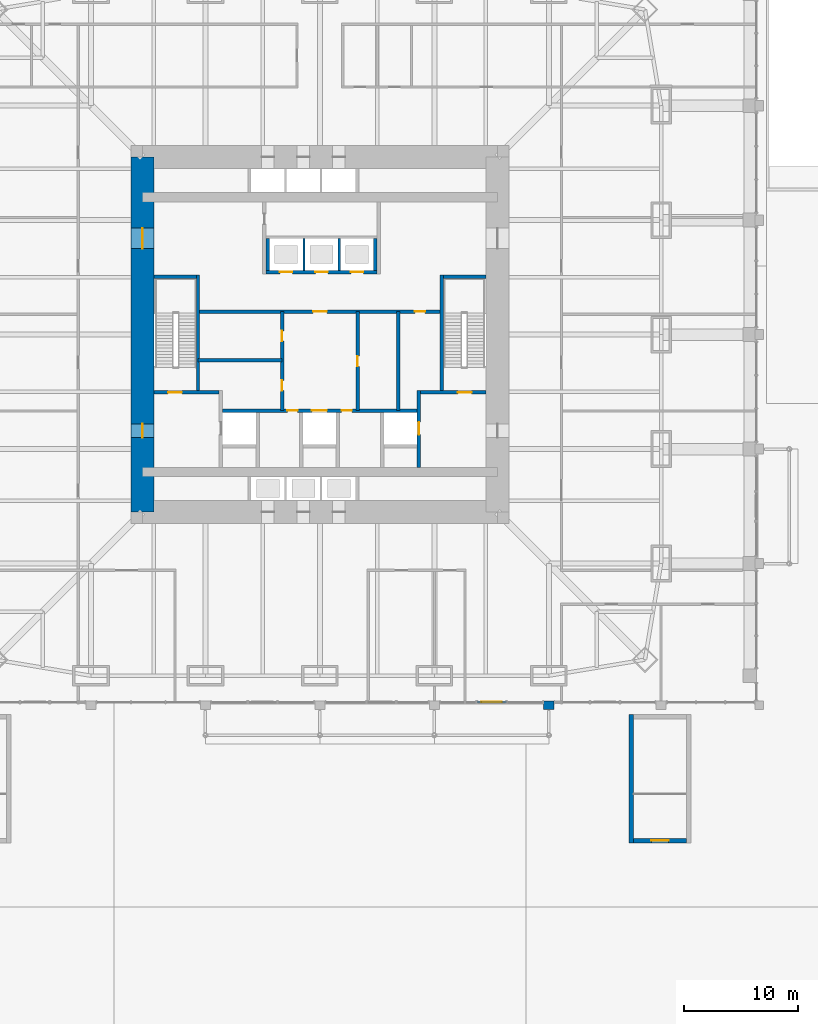
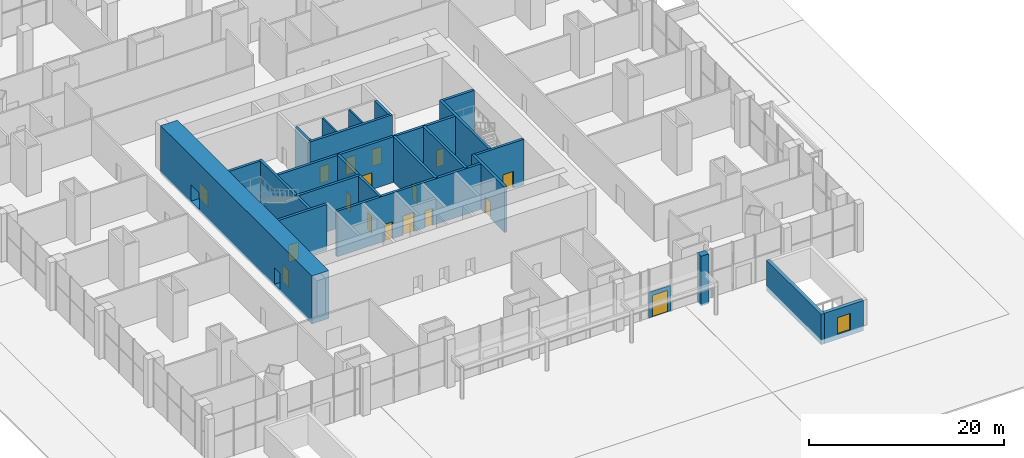
# One storey, part 23 of 31: 23 walls, 18 doors, 18 openings.
"""IFC4 building model written with IfcOpenShell, lengths in metres."""

import ifcopenshell
import ifcopenshell.guid

model = None  # the IFC model being written
_history = None  # IfcOwnerHistory: only IFC2X3 demands one
_inside = {}  # id of a spatial element -> (the spatial element, [elements in it])
_under = {}  # id of a project, library or spatial element -> (it, [spatial elements below it])
_declared = {}  # id of a project -> (the project, [libraries it declares])
_typed = {}  # id of a type object -> (the type object, [elements of that type])
_made_of = {}  # id of a material, layer set ... -> (it, [elements and type objects made of it])


def new_model(schema):
    """Start an empty IFC model of exactly this schema.

    Asked for "IFC4X3", IfcOpenShell would pick the latest addendum, in which some entities
    have other attributes; the version numbers below select the first issue.
    IFC2X3 requires an IfcOwnerHistory on every rooted entity: one is made here for all.
    """
    global model, _history
    if schema == "IFC4X3":
        model = ifcopenshell.file(schema_version=(4, 3, 0, 0))
    else:
        model = ifcopenshell.file(schema=schema)
    _inside.clear()
    _under.clear()
    _declared.clear()
    _typed.clear()
    _made_of.clear()
    _history = None
    if model.schema == "IFC2X3":
        org = make("IfcOrganization", Name="unknown")
        user = make(
            "IfcPersonAndOrganization",
            ThePerson=make("IfcPerson", FamilyName="unknown"),
            TheOrganization=org,
        )
        app = make(
            "IfcApplication",
            ApplicationDeveloper=org,
            Version="unknown",
            ApplicationFullName="unknown",
            ApplicationIdentifier="unknown",
        )
        _history = make(
            "IfcOwnerHistory",
            OwningUser=user,
            OwningApplication=app,
            ChangeAction="ADDED",
            CreationDate=0,
        )
    return model


def make(cls, **values):
    """One entity of the class cls with the attributes given. An attribute that is None is left unset."""
    return model.create_entity(
        cls, **{name: value for name, value in values.items() if value is not None}
    )


def rooted(cls, **values):
    """An entity with a GlobalId (a new one), such as an element, a storey or a relation."""
    return make(cls, GlobalId=ifcopenshell.guid.new(), OwnerHistory=_history, **values)


def si_unit(unit_type, name, prefix=None):
    """IfcSIUnit, for example si_unit("LENGTHUNIT", "METRE", prefix="MILLI")."""
    return make("IfcSIUnit", UnitType=unit_type, Prefix=prefix, Name=name)


def assignment(units):
    """IfcUnitAssignment: the units of a project."""
    return None if units is None else make("IfcUnitAssignment", Units=units)


def point(xyz):
    """IfcCartesianPoint."""
    return None if xyz is None else make("IfcCartesianPoint", Coordinates=xyz)


def direction(xyz):
    """IfcDirection."""
    return None if xyz is None else make("IfcDirection", DirectionRatios=xyz)


def frame(location, z_axis=None, x_axis=None):
    """IfcAxis2Placement3D, a coordinate frame: its origin and axes. An axis left out is left unset."""
    return make(
        "IfcAxis2Placement3D",
        Location=point(location),
        Axis=direction(z_axis),
        RefDirection=direction(x_axis),
    )


def frame_2d(location, x_axis=None):
    """IfcAxis2Placement2D, a coordinate frame in the plane: its origin and x axis."""
    return make(
        "IfcAxis2Placement2D", Location=point(location), RefDirection=direction(x_axis)
    )


def origin():
    """The frame at (0, 0, 0) with its axes left unset."""
    return frame((0.0, 0.0, 0.0))


def place(relative_to, where):
    """IfcLocalPlacement: puts the frame where relative to a parent placement (None: the world)."""
    return make(
        "IfcLocalPlacement", PlacementRelTo=relative_to, RelativePlacement=where
    )


def context(
    kind, dimensions, precision=None, world=None, true_north=None, identifier=None
):
    """IfcGeometricRepresentationContext, for example the 3D "Model" context."""
    return make(
        "IfcGeometricRepresentationContext",
        ContextIdentifier=identifier,
        ContextType=kind,
        CoordinateSpaceDimension=dimensions,
        Precision=precision,
        WorldCoordinateSystem=world,
        TrueNorth=true_north,
    )


def subcontext(parent, identifier, kind, view, scale=None):
    """IfcGeometricRepresentationSubContext, for example "Body" below "Model"."""
    return make(
        "IfcGeometricRepresentationSubContext",
        ContextIdentifier=identifier,
        ContextType=kind,
        ParentContext=parent,
        TargetScale=scale,
        TargetView=view,
    )


def project(units=None, contexts=None):
    """IfcProject with its units and contexts."""
    return rooted(
        "IfcProject",
        Name="project",
        RepresentationContexts=contexts,
        UnitsInContext=assignment(units),
    )


def spatial(cls, under=None, at=None, **own):
    """A site, building, storey or space (cls), placed at a placement, below another one or the project."""
    s = rooted(cls, ObjectPlacement=at, **own)
    if under is not None:
        _under.setdefault(under.id(), (under, []))[1].append(s)
    return s


def profile(cls, at=None, kind="AREA", **sizes):
    """A parametric profile (cls). Its sizes go by their IFC names, for example OverallWidth=200.0."""
    return make(cls, ProfileType=kind, Position=at, **sizes)


def rectangle(**sizes):
    """IfcRectangleProfileDef."""
    return profile("IfcRectangleProfileDef", **sizes)


def extrude(swept, where, along, depth):
    """IfcExtrudedAreaSolid: the profile swept, set in the frame where, extruded along a direction by depth."""
    return make(
        "IfcExtrudedAreaSolid",
        SweptArea=swept,
        Position=where,
        ExtrudedDirection=direction(along),
        Depth=depth,
    )


def shape(context_of_items, identifier, shape_type, items):
    """IfcShapeRepresentation: the items that make up one representation, for example the "Body"."""
    return make(
        "IfcShapeRepresentation",
        ContextOfItems=context_of_items,
        RepresentationIdentifier=identifier,
        RepresentationType=shape_type,
        Items=items,
    )


def material(Name=None, Category=None):
    """IfcMaterial."""
    return make("IfcMaterial", Name=Name, Category=Category)


def layer(
    of_material, thickness, ventilated=None, Name=None, Category=None, Priority=None
):
    """IfcMaterialLayer: one layer of a wall or slab, of a material (None: an air gap)."""
    return make(
        "IfcMaterialLayer",
        Material=of_material,
        LayerThickness=thickness,
        IsVentilated=ventilated,
        Name=Name,
        Category=Category,
        Priority=Priority,
    )


def layer_set(layers, Name=None):
    """IfcMaterialLayerSet."""
    return make("IfcMaterialLayerSet", MaterialLayers=layers, LayerSetName=Name)


def made_of(thing, what):
    """Note that an element or type object is made of a material, layer set ...; save() writes the relation."""
    if what is not None:
        _made_of.setdefault(what.id(), (what, []))[1].append(thing)
    return thing


def type_object(cls, material=None, **own):
    """A type object (cls), such as IfcWallType, which elements share."""
    return made_of(rooted(cls, **own), material)


def element(
    cls,
    number,
    at=None,
    inside=None,
    cuts=None,
    type_object=None,
    material=None,
    context=None,
    identifier="Body",
    shape_type=None,
    held_by="IfcProductDefinitionShape",
    body=None,
    shapes=None,
    **own,
):
    """One element of the class cls, such as IfcWall. Its Tag is "e" and its number.

    at: its placement. inside: the storey or other place that contains it. cuts: it is an
    opening in that element (IfcRelVoidsElement). A single representation is given by context,
    identifier, shape_type and body (its items); several are given by shapes. held_by: the class
    of the entity that holds the representations. save() writes the other relations.
    """
    e = rooted(cls, Tag="e%d" % number, ObjectPlacement=at, **own)
    if body is not None:
        shapes = [shape(context, identifier, shape_type, body)]
    if shapes is not None:
        e.Representation = make(held_by, Representations=shapes)
    if inside is not None:
        _inside.setdefault(inside.id(), (inside, []))[1].append(e)
    if cuts is not None:
        rooted(
            "IfcRelVoidsElement", RelatingBuildingElement=cuts, RelatedOpeningElement=e
        )
    if type_object is not None:
        _typed.setdefault(type_object.id(), (type_object, []))[1].append(e)
    return made_of(e, material)


def fill(opening, filler):
    """IfcRelFillsElement: the door or window that sits in an opening."""
    return rooted(
        "IfcRelFillsElement",
        RelatingOpeningElement=opening,
        RelatedBuildingElement=filler,
    )


def aggregate(whole, parts):
    """IfcRelAggregates: a whole, such as a stair, and the parts it consists of."""
    return rooted("IfcRelAggregates", RelatingObject=whole, RelatedObjects=parts)


def save(model, path):
    """Write the relations noted so far, then the file.

    IfcRelAggregates (storeys below a building ...), IfcRelContainedInSpatialStructure (elements
    in a storey), IfcRelDefinesByType, IfcRelAssociatesMaterial and IfcRelDeclares: one each for
    every whole, place, type object, material and project.
    """
    for whole, parts in _under.values():
        aggregate(whole, parts)
    for where, things in _inside.values():
        rooted(
            "IfcRelContainedInSpatialStructure",
            RelatedElements=things,
            RelatingStructure=where,
        )
    for kind, things in _typed.values():
        rooted("IfcRelDefinesByType", RelatedObjects=things, RelatingType=kind)
    for what, things in _made_of.values():
        rooted("IfcRelAssociatesMaterial", RelatedObjects=things, RelatingMaterial=what)
    for by, libraries in _declared.values():
        rooted("IfcRelDeclares", RelatingContext=by, RelatedDefinitions=libraries)
    model.write(path)


model = new_model("IFC4")

# Units and contexts
model_context = context("Model", 3, precision=1e-05, world=origin(), true_north=direction((0.0, 1.0)))
body_context = subcontext(model_context, "Body", "Model", "MODEL_VIEW")
ifc_project = project(units=[si_unit("LENGTHUNIT", "METRE"), si_unit("AREAUNIT", "SQUARE_METRE"), si_unit("VOLUMEUNIT", "CUBIC_METRE"), si_unit("PLANEANGLEUNIT", "RADIAN"), si_unit("MASSUNIT", "GRAM", prefix="KILO")], contexts=[model_context])

# Site, building, storey
site_placement = place(None, origin())
site = spatial("IfcSite", under=ifc_project, at=site_placement, CompositionType="ELEMENT")
building_placement = place(site_placement, origin())
building = spatial("IfcBuilding", under=site, at=building_placement, Name="Khuree Lantern Residences", CompositionType="ELEMENT")
storey_placement = place(building_placement, origin())
storey = spatial("IfcBuildingStorey", under=building, at=storey_placement, Name="L00", CompositionType="ELEMENT", Elevation=0.0)

# Wall, opening, door
ifc_material_1 = material(Name="Dense concrete blockwork", Category="masonry")
ifc_layer_1 = layer(ifc_material_1, 0.300048828125)
ifc_layer_set_1 = layer_set([ifc_layer_1], Name="CORE PARTITION WALL CPW300 EI 120")
wall_type_1 = type_object("IfcWallType", Name="CORE PARTITION WALL CPW300 EI 120", PredefinedType="PARTITIONING", material=ifc_layer_set_1)
wall_1_placement = place(storey_placement, frame((8.64990234375, -11.60009765625, 0.0), z_axis=(0.0, 0.0, 1.0), x_axis=(0.0, 1.0, 0.0)))
wall_1 = element("IfcWall", 1, at=wall_1_placement, inside=storey, type_object=wall_type_1, Name="L00 CORE WALL FL2E", PredefinedType="PARTITIONING", context=body_context, shape_type="SweptSolid", body=[
    extrude(rectangle(XDim=6.7001953125, YDim=0.300048828125, at=frame_2d((3.35009765625, 0.0))), origin(), (0.0, 0.0, 1.0), 5.699951171875),
])
opening_1_placement = place(wall_1_placement, frame((2.85009765625, 0.0, 0.0)))
opening_1 = element("IfcOpeningElement", 2, at=opening_1_placement, cuts=wall_1, Name="Opening 00-008", PredefinedType="OPENING", context=body_context, shape_type="SweptSolid", body=[
    extrude(rectangle(XDim=1.10009765625, YDim=2.10009765625, at=frame_2d((0.550048828125, 1.050048828125))), frame((0.0, 0.16015625, 0.0), z_axis=(0.0, -1.0, 0.0), x_axis=(1.0, 0.0, 0.0)), (0.0, 0.0, 1.0), 0.320068359375),
])
ifc_material_2 = material(Name="Stainless steel lift landing door", Category="steel")
door_type_1 = type_object("IfcDoorType", Name="LIFT LANDING DOOR 1100X2100 E 120", OperationType="DOUBLE_DOOR_SLIDING", PredefinedType="DOOR", material=ifc_material_2)
door_1_placement = place(opening_1_placement, origin())
door_1 = element("IfcDoor", 3, at=door_1_placement, inside=storey, type_object=door_type_1, Name="Landing door FL2 00-008", OperationType="DOUBLE_DOOR_SLIDING", OverallHeight=2.10009765625, OverallWidth=1.10009765625, PredefinedType="DOOR", context=body_context, shape_type="SweptSolid", body=[
    extrude(rectangle(XDim=1.10009765625, YDim=2.10009765625, at=frame_2d((0.550048828125, 1.050048828125))), frame((0.0, 0.02490234375, 0.0), z_axis=(0.0, -1.0, 0.0), x_axis=(1.0, 0.0, 0.0)), (0.0, 0.0, 1.0), 0.050048828125),
])
fill(opening_1, door_1)

# Wall, openings, doors
wall_2_placement = place(storey_placement, frame((-8.5, -6.64990234375, 0.0), z_axis=(0.0, 0.0, 1.0), x_axis=(1.0, 0.0, 0.0)))
wall_2 = element("IfcWall", 4, at=wall_2_placement, inside=storey, type_object=wall_type_1, Name="L00 CORE WALL FLROW", PredefinedType="PARTITIONING", context=body_context, shape_type="SweptSolid", body=[
    extrude(rectangle(XDim=17.0, YDim=0.300048828125, at=frame_2d((8.5, 0.0))), origin(), (0.0, 0.0, 1.0), 5.699951171875),
])
opening_2_placement = place(wall_2_placement, frame((7.800048828125, 0.0, 0.0)))
opening_2 = element("IfcOpeningElement", 5, at=opening_2_placement, cuts=wall_2, Name="Opening 00-018", PredefinedType="OPENING", context=body_context, shape_type="SweptSolid", body=[
    extrude(rectangle(XDim=1.300048828125, YDim=2.39990234375, at=frame_2d((0.64990234375, 1.199951171875))), frame((0.0, 0.16015625, 0.0), z_axis=(0.0, -1.0, 0.0), x_axis=(1.0, 0.0, 0.0)), (0.0, 0.0, 1.0), 0.320068359375),
])
opening_3_placement = place(wall_2_placement, frame((5.64990234375, 0.0, 0.0)))
opening_3 = element("IfcOpeningElement", 6, at=opening_3_placement, cuts=wall_2, Name="Opening 00-020", PredefinedType="OPENING", context=body_context, shape_type="SweptSolid", body=[
    extrude(rectangle(XDim=0.89990234375, YDim=2.10009765625, at=frame_2d((0.449951171875, 1.050048828125))), frame((0.0, 0.16015625, 0.0), z_axis=(0.0, -1.0, 0.0), x_axis=(1.0, 0.0, 0.0)), (0.0, 0.0, 1.0), 0.320068359375),
])
opening_4_placement = place(wall_2_placement, frame((10.39990234375, 0.0, 0.0)))
opening_4 = element("IfcOpeningElement", 7, at=opening_4_placement, cuts=wall_2, Name="Opening 00-021", PredefinedType="OPENING", context=body_context, shape_type="SweptSolid", body=[
    extrude(rectangle(XDim=0.89990234375, YDim=2.10009765625, at=frame_2d((0.449951171875, 1.050048828125))), frame((0.0, 0.16015625, 0.0), z_axis=(0.0, -1.0, 0.0), x_axis=(1.0, 0.0, 0.0)), (0.0, 0.0, 1.0), 0.320068359375),
])
ifc_material_3 = material(Name="Steel door leaf in steel frame", Category="steel")
door_type_2 = type_object("IfcDoorType", Name="DOOR 900X2100 EI 60", OperationType="SINGLE_SWING_LEFT", PredefinedType="DOOR", material=ifc_material_3)
door_2_placement = place(opening_3_placement, origin())
door_2 = element("IfcDoor", 8, at=door_2_placement, inside=storey, type_object=door_type_2, Name="Electrical riser door 00-020", OperationType="SINGLE_SWING_LEFT", OverallHeight=2.10009765625, OverallWidth=0.89990234375, PredefinedType="DOOR", context=body_context, shape_type="SweptSolid", body=[
    extrude(rectangle(XDim=0.89990234375, YDim=2.10009765625, at=frame_2d((0.449951171875, 1.050048828125))), frame((0.0, 0.02490234375, 0.0), z_axis=(0.0, -1.0, 0.0), x_axis=(1.0, 0.0, 0.0)), (0.0, 0.0, 1.0), 0.050048828125),
])
fill(opening_3, door_2)
door_type_3 = type_object("IfcDoorType", Name="DOOR 900X2100 EI 60 RIGHT HAND", OperationType="SINGLE_SWING_RIGHT", PredefinedType="DOOR", material=ifc_material_3)
door_3_placement = place(opening_4_placement, origin())
door_3 = element("IfcDoor", 9, at=door_3_placement, inside=storey, type_object=door_type_3, Name="Plumbing riser door 00-021", OperationType="SINGLE_SWING_RIGHT", OverallHeight=2.10009765625, OverallWidth=0.89990234375, PredefinedType="DOOR", context=body_context, shape_type="SweptSolid", body=[
    extrude(rectangle(XDim=0.89990234375, YDim=2.10009765625, at=frame_2d((0.449951171875, 1.050048828125))), frame((0.0, 0.02490234375, 0.0), z_axis=(0.0, -1.0, 0.0), x_axis=(1.0, 0.0, 0.0)), (0.0, 0.0, 1.0), 0.050048828125),
])
fill(opening_4, door_3)
door_type_4 = type_object("IfcDoorType", Name="LIFT LANDING DOOR 1300X2400 E 60", OperationType="DOUBLE_DOOR_SLIDING", PredefinedType="DOOR", material=ifc_material_2)
door_4_placement = place(opening_2_placement, origin())
door_4 = element("IfcDoor", 10, at=door_4_placement, inside=storey, type_object=door_type_4, Name="Landing door SL1 00-018", OperationType="DOUBLE_DOOR_SLIDING", OverallHeight=2.39990234375, OverallWidth=1.300048828125, PredefinedType="DOOR", context=body_context, shape_type="SweptSolid", body=[
    extrude(rectangle(XDim=1.300048828125, YDim=2.39990234375, at=frame_2d((0.64990234375, 1.199951171875))), frame((0.0, 0.02490234375, 0.0), z_axis=(0.0, -1.0, 0.0), x_axis=(1.0, 0.0, 0.0)), (0.0, 0.0, 1.0), 0.050048828125),
])
fill(opening_2, door_4)

wall_3_placement = place(storey_placement, frame((-4.699951171875, 5.449951171875, 0.0), z_axis=(0.0, 0.0, 1.0), x_axis=(1.0, 0.0, 0.0)))
wall_3 = element("IfcWall", 11, at=wall_3_placement, inside=storey, type_object=wall_type_1, Name="L00 CORE WALL PHS", PredefinedType="PARTITIONING", context=body_context, shape_type="SweptSolid", body=[
    extrude(rectangle(XDim=9.699951171875, YDim=0.300048828125, at=frame_2d((4.85009765625, 0.0))), origin(), (0.0, 0.0, 1.0), 5.699951171875),
])
opening_5_placement = place(wall_3_placement, frame((1.199951171875, 0.0, 0.0)))
opening_5 = element("IfcOpeningElement", 12, at=opening_5_placement, cuts=wall_3, Name="Opening 00-009", PredefinedType="OPENING", context=body_context, shape_type="SweptSolid", body=[
    extrude(rectangle(XDim=1.10009765625, YDim=2.10009765625, at=frame_2d((0.550048828125, 1.050048828125))), frame((0.0, 0.16015625, 0.0), z_axis=(0.0, -1.0, 0.0), x_axis=(1.0, 0.0, 0.0)), (0.0, 0.0, 1.0), 0.320068359375),
])
opening_6_placement = place(wall_3_placement, frame((4.300048828125, 0.0, 0.0)))
opening_6 = element("IfcOpeningElement", 13, at=opening_6_placement, cuts=wall_3, Name="Opening 00-010", PredefinedType="OPENING", context=body_context, shape_type="SweptSolid", body=[
    extrude(rectangle(XDim=1.10009765625, YDim=2.10009765625, at=frame_2d((0.550048828125, 1.050048828125))), frame((0.0, 0.16015625, 0.0), z_axis=(0.0, -1.0, 0.0), x_axis=(1.0, 0.0, 0.0)), (0.0, 0.0, 1.0), 0.320068359375),
])
opening_7_placement = place(wall_3_placement, frame((7.39990234375, 0.0, 0.0)))
opening_7 = element("IfcOpeningElement", 14, at=opening_7_placement, cuts=wall_3, Name="Opening 00-011", PredefinedType="OPENING", context=body_context, shape_type="SweptSolid", body=[
    extrude(rectangle(XDim=1.10009765625, YDim=2.10009765625, at=frame_2d((0.550048828125, 1.050048828125))), frame((0.0, 0.16015625, 0.0), z_axis=(0.0, -1.0, 0.0), x_axis=(1.0, 0.0, 0.0)), (0.0, 0.0, 1.0), 0.320068359375),
])
door_type_5 = type_object("IfcDoorType", Name="LIFT LANDING DOOR 1100X2100 E 60", OperationType="DOUBLE_DOOR_SLIDING", PredefinedType="DOOR", material=ifc_material_2)
door_5_placement = place(opening_5_placement, origin())
door_5 = element("IfcDoor", 15, at=door_5_placement, inside=storey, type_object=door_type_5, Name="Landing door PH1 00-009", OperationType="DOUBLE_DOOR_SLIDING", OverallHeight=2.10009765625, OverallWidth=1.10009765625, PredefinedType="DOOR", context=body_context, shape_type="SweptSolid", body=[
    extrude(rectangle(XDim=1.10009765625, YDim=2.10009765625, at=frame_2d((0.550048828125, 1.050048828125))), frame((0.0, 0.02490234375, 0.0), z_axis=(0.0, -1.0, 0.0), x_axis=(1.0, 0.0, 0.0)), (0.0, 0.0, 1.0), 0.050048828125),
])
fill(opening_5, door_5)
door_6_placement = place(opening_6_placement, origin())
door_6 = element("IfcDoor", 16, at=door_6_placement, inside=storey, type_object=door_type_5, Name="Landing door PH2 00-010", OperationType="DOUBLE_DOOR_SLIDING", OverallHeight=2.10009765625, OverallWidth=1.10009765625, PredefinedType="DOOR", context=body_context, shape_type="SweptSolid", body=[
    extrude(rectangle(XDim=1.10009765625, YDim=2.10009765625, at=frame_2d((0.550048828125, 1.050048828125))), frame((0.0, 0.02490234375, 0.0), z_axis=(0.0, -1.0, 0.0), x_axis=(1.0, 0.0, 0.0)), (0.0, 0.0, 1.0), 0.050048828125),
])
fill(opening_6, door_6)
door_7_placement = place(opening_7_placement, origin())
door_7 = element("IfcDoor", 17, at=door_7_placement, inside=storey, type_object=door_type_5, Name="Landing door PH3 00-011", OperationType="DOUBLE_DOOR_SLIDING", OverallHeight=2.10009765625, OverallWidth=1.10009765625, PredefinedType="DOOR", context=body_context, shape_type="SweptSolid", body=[
    extrude(rectangle(XDim=1.10009765625, YDim=2.10009765625, at=frame_2d((0.550048828125, 1.050048828125))), frame((0.0, 0.02490234375, 0.0), z_axis=(0.0, -1.0, 0.0), x_axis=(1.0, 0.0, 0.0)), (0.0, 0.0, 1.0), 0.050048828125),
])
fill(opening_7, door_7)

# Walls
for number, where, z_axis, x_axis, name in (
    (18, (-4.550048828125, 5.60009765625, 0.0), (0.0, 0.0, 1.0), (0.0, 1.0, 0.0), "L00 CORE WALL PHW"),
    (19, (4.85009765625, 5.60009765625, 0.0), (0.0, 0.0, 1.0), (0.0, 1.0, 0.0), "L00 CORE WALL PHE"),
):
    element("IfcWall", number, at=place(storey_placement, frame(where, z_axis=z_axis, x_axis=x_axis)), inside=storey, type_object=wall_type_1, Name=name, PredefinedType="PARTITIONING", context=body_context, shape_type="SweptSolid", body=[
        extrude(rectangle(XDim=2.7998046875, YDim=0.300048828125, at=frame_2d((1.39990234375, 0.0))), origin(), (0.0, 0.0, 1.0), 5.699951171875),
    ])

# Wall, openings, doors
wall_4_placement = place(storey_placement, frame((-10.64990234375, 2.0, 0.0), z_axis=(0.0, 0.0, 1.0), x_axis=(1.0, 0.0, 0.0)))
wall_4 = element("IfcWall", 20, at=wall_4_placement, inside=storey, type_object=wall_type_1, Name="L00 CORE WALL LLS", PredefinedType="PARTITIONING", context=body_context, shape_type="SweptSolid", body=[
    extrude(rectangle(XDim=21.2998046875, YDim=0.300048828125, at=frame_2d((10.64990234375, 0.0))), origin(), (0.0, 0.0, 1.0), 5.699951171875),
])
opening_8_placement = place(wall_4_placement, frame((10.050048828125, 0.0, 0.0)))
opening_8 = element("IfcOpeningElement", 21, at=opening_8_placement, cuts=wall_4, Name="Opening 00-019", PredefinedType="OPENING", context=body_context, shape_type="SweptSolid", body=[
    extrude(rectangle(XDim=1.199951171875, YDim=2.10009765625, at=frame_2d((0.60009765625, 1.050048828125))), frame((0.0, 0.16015625, 0.0), z_axis=(0.0, -1.0, 0.0), x_axis=(1.0, 0.0, 0.0)), (0.0, 0.0, 1.0), 0.320068359375),
])
opening_9_placement = place(wall_4_placement, frame((18.94189453125, 0.0, 0.0)))
opening_9 = element("IfcOpeningElement", 22, at=opening_9_placement, cuts=wall_4, Name="Opening 00-025", PredefinedType="OPENING", context=body_context, shape_type="SweptSolid", body=[
    extrude(rectangle(XDim=0.89990234375, YDim=2.10009765625, at=frame_2d((0.449951171875, 1.050048828125))), frame((0.0, 0.16015625, 0.0), z_axis=(0.0, -1.0, 0.0), x_axis=(1.0, 0.0, 0.0)), (0.0, 0.0, 1.0), 0.320068359375),
])
door_type_6 = type_object("IfcDoorType", Name="DOOR 1200X2100 EI 60", OperationType="SINGLE_SWING_LEFT", PredefinedType="DOOR", material=ifc_material_3)
door_8_placement = place(opening_8_placement, origin())
door_8 = element("IfcDoor", 23, at=door_8_placement, inside=storey, type_object=door_type_6, Name="Service lift lobby door 00-019", OperationType="SINGLE_SWING_LEFT", OverallHeight=2.10009765625, OverallWidth=1.199951171875, PredefinedType="DOOR", context=body_context, shape_type="SweptSolid", body=[
    extrude(rectangle(XDim=1.199951171875, YDim=2.10009765625, at=frame_2d((0.60009765625, 1.050048828125))), frame((0.0, 0.02490234375, 0.0), z_axis=(0.0, -1.0, 0.0), x_axis=(1.0, 0.0, 0.0)), (0.0, 0.0, 1.0), 0.050048828125),
])
fill(opening_8, door_8)
ifc_material_4 = material(Name="Timber door leaf in hardwood frame", Category="wood")
door_type_7 = type_object("IfcDoorType", Name="DOOR 900X2100 RIGHT HAND", OperationType="SINGLE_SWING_RIGHT", PredefinedType="DOOR", material=ifc_material_4)
door_9_placement = place(opening_9_placement, origin())
door_9 = element("IfcDoor", 24, at=door_9_placement, inside=storey, type_object=door_type_7, Name="Store door 00-025", OperationType="SINGLE_SWING_RIGHT", OverallHeight=2.10009765625, OverallWidth=0.89990234375, PredefinedType="DOOR", context=body_context, shape_type="SweptSolid", body=[
    extrude(rectangle(XDim=0.89990234375, YDim=2.10009765625, at=frame_2d((0.449951171875, 1.050048828125))), frame((0.0, 0.02490234375, 0.0), z_axis=(0.0, -1.0, 0.0), x_axis=(1.0, 0.0, 0.0)), (0.0, 0.0, 1.0), 0.050048828125),
])
fill(opening_9, door_9)

wall_5_placement = place(storey_placement, frame((-3.300048828125, -6.64990234375, 0.0), z_axis=(0.0, 0.0, 1.0), x_axis=(0.0, 1.0, 0.0)))
wall_5 = element("IfcWall", 25, at=wall_5_placement, inside=storey, type_object=wall_type_1, Name="L00 CORE WALL SVW", PredefinedType="PARTITIONING", context=body_context, shape_type="SweptSolid", body=[
    extrude(rectangle(XDim=8.64990234375, YDim=0.300048828125, at=frame_2d((4.324951171875, 0.0))), origin(), (0.0, 0.0, 1.0), 5.699951171875),
])
opening_10_placement = place(wall_5_placement, frame((1.75, 0.0, 0.0)))
opening_10 = element("IfcOpeningElement", 26, at=opening_10_placement, cuts=wall_5, Name="Opening 00-022", PredefinedType="OPENING", context=body_context, shape_type="SweptSolid", body=[
    extrude(rectangle(XDim=0.89990234375, YDim=2.10009765625, at=frame_2d((0.449951171875, 1.050048828125))), frame((0.0, 0.16015625, 0.0), z_axis=(0.0, -1.0, 0.0), x_axis=(1.0, 0.0, 0.0)), (0.0, 0.0, 1.0), 0.320068359375),
])
opening_11_placement = place(wall_5_placement, frame((6.074951171875, 0.0, 0.0)))
opening_11 = element("IfcOpeningElement", 27, at=opening_11_placement, cuts=wall_5, Name="Opening 00-023", PredefinedType="OPENING", context=body_context, shape_type="SweptSolid", body=[
    extrude(rectangle(XDim=0.89990234375, YDim=2.10009765625, at=frame_2d((0.449951171875, 1.050048828125))), frame((0.0, 0.16015625, 0.0), z_axis=(0.0, -1.0, 0.0), x_axis=(1.0, 0.0, 0.0)), (0.0, 0.0, 1.0), 0.320068359375),
])
door_type_8 = type_object("IfcDoorType", Name="DOOR 900X2100", OperationType="SINGLE_SWING_LEFT", PredefinedType="DOOR", material=ifc_material_4)
door_10_placement = place(opening_10_placement, origin())
door_10 = element("IfcDoor", 28, at=door_10_placement, inside=storey, type_object=door_type_8, Name="Store door 00-022", OperationType="SINGLE_SWING_LEFT", OverallHeight=2.10009765625, OverallWidth=0.89990234375, PredefinedType="DOOR", context=body_context, shape_type="SweptSolid", body=[
    extrude(rectangle(XDim=0.89990234375, YDim=2.10009765625, at=frame_2d((0.449951171875, 1.050048828125))), frame((0.0, 0.02490234375, 0.0), z_axis=(0.0, -1.0, 0.0), x_axis=(1.0, 0.0, 0.0)), (0.0, 0.0, 1.0), 0.050048828125),
])
fill(opening_10, door_10)
door_11_placement = place(opening_11_placement, origin())
door_11 = element("IfcDoor", 29, at=door_11_placement, inside=storey, type_object=door_type_8, Name="Store door 00-023", OperationType="SINGLE_SWING_LEFT", OverallHeight=2.10009765625, OverallWidth=0.89990234375, PredefinedType="DOOR", context=body_context, shape_type="SweptSolid", body=[
    extrude(rectangle(XDim=0.89990234375, YDim=2.10009765625, at=frame_2d((0.449951171875, 1.050048828125))), frame((0.0, 0.02490234375, 0.0), z_axis=(0.0, -1.0, 0.0), x_axis=(1.0, 0.0, 0.0)), (0.0, 0.0, 1.0), 0.050048828125),
])
fill(opening_11, door_11)

# Wall, opening, door
wall_6_placement = place(storey_placement, frame((3.300048828125, -6.64990234375, 0.0), z_axis=(0.0, 0.0, 1.0), x_axis=(0.0, 1.0, 0.0)))
wall_6 = element("IfcWall", 30, at=wall_6_placement, inside=storey, type_object=wall_type_1, Name="L00 CORE WALL SVE", PredefinedType="PARTITIONING", context=body_context, shape_type="SweptSolid", body=[
    extrude(rectangle(XDim=8.64990234375, YDim=0.300048828125, at=frame_2d((4.324951171875, 0.0))), origin(), (0.0, 0.0, 1.0), 5.699951171875),
])
opening_12_placement = place(wall_6_placement, frame((3.875, 0.0, 0.0)))
opening_12 = element("IfcOpeningElement", 31, at=opening_12_placement, cuts=wall_6, Name="Opening 00-024", PredefinedType="OPENING", context=body_context, shape_type="SweptSolid", body=[
    extrude(rectangle(XDim=0.89990234375, YDim=2.10009765625, at=frame_2d((0.449951171875, 1.050048828125))), frame((0.0, 0.16015625, 0.0), z_axis=(0.0, -1.0, 0.0), x_axis=(1.0, 0.0, 0.0)), (0.0, 0.0, 1.0), 0.320068359375),
])
door_12_placement = place(opening_12_placement, origin())
door_12 = element("IfcDoor", 32, at=door_12_placement, inside=storey, type_object=door_type_8, Name="Store door 00-024", OperationType="SINGLE_SWING_LEFT", OverallHeight=2.10009765625, OverallWidth=0.89990234375, PredefinedType="DOOR", context=body_context, shape_type="SweptSolid", body=[
    extrude(rectangle(XDim=0.89990234375, YDim=2.10009765625, at=frame_2d((0.449951171875, 1.050048828125))), frame((0.0, 0.02490234375, 0.0), z_axis=(0.0, -1.0, 0.0), x_axis=(1.0, 0.0, 0.0)), (0.0, 0.0, 1.0), 0.050048828125),
])
fill(opening_12, door_12)

# Walls
wall_7_placement = place(storey_placement, frame((-10.64990234375, -2.25, 0.0), z_axis=(0.0, 0.0, 1.0), x_axis=(1.0, 0.0, 0.0)))
element("IfcWall", 33, at=wall_7_placement, inside=storey, type_object=wall_type_1, Name="L00 CORE WALL WX", PredefinedType="PARTITIONING", context=body_context, shape_type="SweptSolid", body=[
    extrude(rectangle(XDim=7.349853515625, YDim=0.300048828125, at=frame_2d((3.6748046875, 0.0))), origin(), (0.0, 0.0, 1.0), 5.699951171875),
])
wall_8_placement = place(storey_placement, frame((6.833984375, -6.64990234375, 0.0), z_axis=(0.0, 0.0, 1.0), x_axis=(0.0, 1.0, 0.0)))
element("IfcWall", 34, at=wall_8_placement, inside=storey, type_object=wall_type_1, Name="L00 CORE WALL EV", PredefinedType="PARTITIONING", context=body_context, shape_type="SweptSolid", body=[
    extrude(rectangle(XDim=8.64990234375, YDim=0.300048828125, at=frame_2d((4.324951171875, 0.0))), origin(), (0.0, 0.0, 1.0), 5.699951171875),
])

# Wall, openings, doors
ifc_material_5 = material(Name="Concrete C70/85", Category="concrete")
ifc_layer_2 = layer(ifc_material_5, 2.0)
ifc_layer_set_2 = layer_set([ifc_layer_2], Name="CW2000-C70 CORE WALL C70 2000")
wall_type_2 = type_object("IfcWallType", Name="CW2000-C70 CORE WALL C70 2000", PredefinedType="SHEAR", material=ifc_layer_set_2)
wall_9_placement = place(storey_placement, frame((-15.5, -15.5, -0.300048828125), z_axis=(0.0, 0.0, 1.0), x_axis=(0.0, 1.0, 0.0)))
wall_9 = element("IfcWall", 35, at=wall_9_placement, inside=storey, type_object=wall_type_2, Name="Core wall W", PredefinedType="SHEAR", context=body_context, shape_type="SweptSolid", body=[
    extrude(rectangle(XDim=31.0, YDim=2.0, at=frame_2d((15.5, 0.0))), origin(), (0.0, 0.0, 1.0), 6.0),
])
opening_13_placement = place(wall_9_placement, frame((6.5, 0.0, 0.300048828125)))
opening_13 = element("IfcOpeningElement", 36, at=opening_13_placement, cuts=wall_9, Name="Opening 00-002", PredefinedType="OPENING", context=body_context, shape_type="SweptSolid", body=[
    extrude(rectangle(XDim=1.199951171875, YDim=2.10009765625, at=frame_2d((0.60009765625, 1.050048828125))), frame((0.0, 1.010009765625, 0.0), z_axis=(0.0, -1.0, 0.0), x_axis=(1.0, 0.0, 0.0)), (0.0, 0.0, 1.0), 2.02001953125),
])
opening_14_placement = place(wall_9_placement, frame((23.0, 0.0, 0.300048828125)))
opening_14 = element("IfcOpeningElement", 37, at=opening_14_placement, cuts=wall_9, Name="Opening 00-003", PredefinedType="OPENING", context=body_context, shape_type="SweptSolid", body=[
    extrude(rectangle(XDim=1.800048828125, YDim=2.10009765625, at=frame_2d((0.89990234375, 1.050048828125))), frame((0.0, 1.010009765625, 0.0), z_axis=(0.0, -1.0, 0.0), x_axis=(1.0, 0.0, 0.0)), (0.0, 0.0, 1.0), 2.02001953125),
])
door_type_9 = type_object("IfcDoorType", Name="LOBBY DOOR 1200X2100 EI 120", OperationType="SINGLE_SWING_LEFT", PredefinedType="DOOR", material=ifc_material_3)
door_13_placement = place(opening_13_placement, origin())
door_13 = element("IfcDoor", 38, at=door_13_placement, inside=storey, type_object=door_type_9, Name="Firefighting lobby door 00-002", OperationType="SINGLE_SWING_LEFT", OverallHeight=2.10009765625, OverallWidth=1.199951171875, PredefinedType="DOOR", context=body_context, shape_type="SweptSolid", body=[
    extrude(rectangle(XDim=1.199951171875, YDim=2.10009765625, at=frame_2d((0.60009765625, 1.050048828125))), frame((0.0, 0.02490234375, 0.0), z_axis=(0.0, -1.0, 0.0), x_axis=(1.0, 0.0, 0.0)), (0.0, 0.0, 1.0), 0.050048828125),
])
fill(opening_13, door_13)
door_type_10 = type_object("IfcDoorType", Name="LOBBY DOUBLE DOOR 1800X2100 EI 60", OperationType="DOUBLE_DOOR_SINGLE_SWING", PredefinedType="DOOR", material=ifc_material_3)
door_14_placement = place(opening_14_placement, origin())
door_14 = element("IfcDoor", 39, at=door_14_placement, inside=storey, type_object=door_type_10, Name="Lift lobby door 00-003", OperationType="DOUBLE_DOOR_SINGLE_SWING", OverallHeight=2.10009765625, OverallWidth=1.800048828125, PredefinedType="DOOR", context=body_context, shape_type="SweptSolid", body=[
    extrude(rectangle(XDim=1.800048828125, YDim=2.10009765625, at=frame_2d((0.89990234375, 1.050048828125))), frame((0.0, 0.02490234375, 0.0), z_axis=(0.0, -1.0, 0.0), x_axis=(1.0, 0.0, 0.0)), (0.0, 0.0, 1.0), 0.050048828125),
])
fill(opening_14, door_14)

# Wall, opening, door
ifc_material_6 = material(Name="Bronze anodised aluminium insulated panel surround", Category="aluminium")
ifc_layer_3 = layer(ifc_material_6, 0.199951171875)
ifc_layer_set_3 = layer_set([ifc_layer_3], Name="ENTRANCE SCREEN ES1 200")
wall_type_3 = type_object("IfcWallType", Name="ENTRANCE SCREEN ES1 200", PredefinedType="ELEMENTEDWALL", material=ifc_layer_set_3)
wall_10_placement = place(storey_placement, frame((13.699951171875, -32.10009765625, 0.0), z_axis=(0.0, 0.0, 1.0), x_axis=(1.0, 0.0, 0.0)))
wall_10 = element("IfcWall", 40, at=wall_10_placement, inside=storey, type_object=wall_type_3, Name="L00 SOUTH FACE BAY 6 ENTRANCE SCREEN", PredefinedType="ELEMENTEDWALL", context=body_context, shape_type="SweptSolid", body=[
    extrude(rectangle(XDim=2.60009765625, YDim=0.199951171875, at=frame_2d((1.300048828125, 0.0))), origin(), (0.0, 0.0, 1.0), 3.199951171875),
])
opening_15_placement = place(wall_10_placement, frame((2.199951171875, 0.0, 0.0), z_axis=(0.0, 0.0, 1.0), x_axis=(-1.0, 0.0, 0.0)))
opening_15 = element("IfcOpeningElement", 41, at=opening_15_placement, cuts=wall_10, Name="Opening 00-E04", PredefinedType="OPENING", context=body_context, shape_type="SweptSolid", body=[
    extrude(rectangle(XDim=1.800048828125, YDim=2.699951171875, at=frame_2d((0.89990234375, 1.35009765625))), frame((0.0, 0.10986328125, 0.0), z_axis=(0.0, -1.0, 0.0), x_axis=(1.0, 0.0, 0.0)), (0.0, 0.0, 1.0), 0.219970703125),
])
ifc_material_7 = material(Name="Thermally broken bronze anodised aluminium door set, laminated triple glazing", Category="aluminium")
door_type_11 = type_object("IfcDoorType", Name="ENTRANCE DOOR D-E1 1800X2700", OperationType="DOUBLE_DOOR_SINGLE_SWING", PredefinedType="DOOR", material=ifc_material_7)
door_15_placement = place(opening_15_placement, origin())
door_15 = element("IfcDoor", 42, at=door_15_placement, inside=storey, type_object=door_type_11, Name="L00 SOUTH FACE BAY 6 PLAZA ENTRANCE DOOR 00-E04", OperationType="SINGLE_SWING_LEFT", OverallHeight=2.699951171875, OverallWidth=1.800048828125, PredefinedType="DOOR", context=body_context, shape_type="SweptSolid", body=[
    extrude(rectangle(XDim=1.800048828125, YDim=2.699951171875, at=frame_2d((0.89990234375, 1.35009765625))), frame((0.0, 0.02490234375, 0.0), z_axis=(0.0, -1.0, 0.0), x_axis=(1.0, 0.0, 0.0)), (0.0, 0.0, 1.0), 0.050048828125),
])
fill(opening_15, door_15)

# Walls
ifc_material_8 = material(Name="Flamed granite cladding on blockwork", Category="masonry")
ifc_layer_4 = layer(ifc_material_8, 0.75)
ifc_layer_set_4 = layer_set([ifc_layer_4], Name="PODIUM PIER PR1 900X750")
wall_type_4 = type_object("IfcWallType", Name="PODIUM PIER PR1 900X750", PredefinedType="SOLIDWALL", material=ifc_layer_set_4)
wall_11_placement = place(storey_placement, frame((19.550048828125, -32.375, -0.199951171875), z_axis=(0.0, 0.0, 1.0), x_axis=(1.0, 0.0, 0.0)))
element("IfcWall", 43, at=wall_11_placement, inside=storey, type_object=wall_type_4, Name="L00 SOUTH FACE PIER 6", PredefinedType="SOLIDWALL", context=body_context, shape_type="SweptSolid", body=[
    extrude(rectangle(XDim=0.89990234375, YDim=0.75, at=frame_2d((0.449951171875, 0.0))), origin(), (0.0, 0.0, 1.0), 6.199951171875),
])
ifc_layer_5 = layer(ifc_material_1, 0.199951171875)
ifc_layer_set_5 = layer_set([ifc_layer_5], Name="SHAFT WALL SHW200 EI 120")
wall_type_5 = type_object("IfcWallType", Name="SHAFT WALL SHW200 EI 120", PredefinedType="PARTITIONING", material=ifc_layer_set_5)
for number, where, z_axis, x_axis, name in (
    (44, (-1.39990234375, 5.60009765625, 0.0), (0.0, 0.0, 1.0), (0.0, 1.0, 0.0), "L00 CORE WALL PHD1"),
    (45, (1.699951171875, 5.60009765625, 0.0), (0.0, 0.0, 1.0), (0.0, 1.0, 0.0), "L00 CORE WALL PHD2"),
):
    element("IfcWall", number, at=place(storey_placement, frame(where, z_axis=z_axis, x_axis=x_axis)), inside=storey, type_object=wall_type_5, Name=name, PredefinedType="PARTITIONING", context=body_context, shape_type="SweptSolid", body=[
        extrude(rectangle(XDim=2.7998046875, YDim=0.199951171875, at=frame_2d((1.39990234375, 0.0))), origin(), (0.0, 0.0, 1.0), 5.699951171875),
    ])
ifc_material_9 = material(Name="Concrete C40/50", Category="concrete")
ifc_layer_6 = layer(ifc_material_9, 0.39990234375)
ifc_layer_set_6 = layer_set([ifc_layer_6], Name="STAIR KIOSK WALL KW400 EXTERNAL")
wall_type_6 = type_object("IfcWallType", Name="STAIR KIOSK WALL KW400 EXTERNAL", PredefinedType="SOLIDWALL", material=ifc_layer_set_6)
wall_12_placement = place(storey_placement, frame((27.199951171875, -44.39990234375, -0.60009765625), z_axis=(0.0, 0.0, 1.0), x_axis=(0.0, 1.0, 0.0)))
element("IfcWall", 46, at=wall_12_placement, inside=storey, type_object=wall_type_6, Name="L00 STAIR KIOSK ST6 WALL W", PredefinedType="SOLIDWALL", context=body_context, shape_type="SweptSolid", body=[
    extrude(rectangle(XDim=11.199951171875, YDim=0.39990234375, at=frame_2d((5.60009765625, 0.0))), origin(), (0.0, 0.0, 1.0), 3.800048828125),
])

# Wall, opening, door
wall_13_placement = place(storey_placement, frame((27.39990234375, -44.199951171875, -0.60009765625), z_axis=(0.0, 0.0, 1.0), x_axis=(1.0, 0.0, 0.0)))
wall_13 = element("IfcWall", 47, at=wall_13_placement, inside=storey, type_object=wall_type_6, Name="L00 STAIR KIOSK ST6 WALL S", PredefinedType="SOLIDWALL", context=body_context, shape_type="SweptSolid", body=[
    extrude(rectangle(XDim=4.60009765625, YDim=0.39990234375, at=frame_2d((2.300048828125, 0.0))), origin(), (0.0, 0.0, 1.0), 3.800048828125),
])
opening_16_placement = place(wall_13_placement, frame((3.050048828125, 0.0, 0.60009765625), z_axis=(0.0, 0.0, 1.0), x_axis=(-1.0, 0.0, 0.0)))
opening_16 = element("IfcOpeningElement", 48, at=opening_16_placement, cuts=wall_13, Name="Opening 00-028", PredefinedType="OPENING", context=body_context, shape_type="SweptSolid", body=[
    extrude(rectangle(XDim=1.5, YDim=2.10009765625, at=frame_2d((0.75, 1.050048828125))), frame((0.0, 0.2099609375, 0.0), z_axis=(0.0, -1.0, 0.0), x_axis=(1.0, 0.0, 0.0)), (0.0, 0.0, 1.0), 0.419921875),
])
door_type_12 = type_object("IfcDoorType", Name="STAIR EXIT DOOR 1500X2100 EI 60", OperationType="DOUBLE_DOOR_SINGLE_SWING", PredefinedType="DOOR", material=ifc_material_3)
door_16_placement = place(opening_16_placement, origin())
door_16 = element("IfcDoor", 49, at=door_16_placement, inside=storey, type_object=door_type_12, Name="Roof access door 00-028", OperationType="DOUBLE_DOOR_SINGLE_SWING", OverallHeight=2.10009765625, OverallWidth=1.5, PredefinedType="DOOR", context=body_context, shape_type="SweptSolid", body=[
    extrude(rectangle(XDim=1.5, YDim=2.10009765625, at=frame_2d((0.75, 1.050048828125))), frame((0.0, 0.02490234375, 0.0), z_axis=(0.0, -1.0, 0.0), x_axis=(1.0, 0.0, 0.0)), (0.0, 0.0, 1.0), 0.050048828125),
])
fill(opening_16, door_16)

# Wall
ifc_material_10 = material(Name="Concrete C50/60", Category="concrete")
ifc_layer_7 = layer(ifc_material_10, 0.300048828125)
ifc_layer_set_7 = layer_set([ifc_layer_7], Name="STAIR WALL SRW300 C50/60 REI 240")
wall_type_7 = type_object("IfcWallType", Name="STAIR WALL SRW300 C50/60 REI 240", PredefinedType="SOLIDWALL", material=ifc_layer_set_7)
wall_14_placement = place(storey_placement, frame((-10.64990234375, -4.89990234375, 0.0), z_axis=(0.0, 0.0, 1.0), x_axis=(0.0, 1.0, 0.0)))
element("IfcWall", 50, at=wall_14_placement, inside=storey, type_object=wall_type_7, Name="L00 STAIR WALL ST1E", PredefinedType="SOLIDWALL", context=body_context, shape_type="SweptSolid", body=[
    extrude(rectangle(XDim=10.099853515625, YDim=0.300048828125, at=frame_2d((5.0498046875, 0.0))), origin(), (0.0, 0.0, 1.0), 5.699951171875),
])

# Wall, opening, door
wall_15_placement = place(storey_placement, frame((-14.5, -5.050048828125, 0.0), z_axis=(0.0, 0.0, 1.0), x_axis=(1.0, 0.0, 0.0)))
wall_15 = element("IfcWall", 51, at=wall_15_placement, inside=storey, type_object=wall_type_7, Name="L00 STAIR WALL ST1S", PredefinedType="SOLIDWALL", context=body_context, shape_type="SweptSolid", body=[
    extrude(rectangle(XDim=5.699951171875, YDim=0.300048828125, at=frame_2d((2.85009765625, 0.0))), origin(), (0.0, 0.0, 1.0), 5.699951171875),
])
opening_17_placement = place(wall_15_placement, frame((1.25, 0.0, 0.0)))
opening_17 = element("IfcOpeningElement", 52, at=opening_17_placement, cuts=wall_15, Name="Opening 00-001", PredefinedType="OPENING", context=body_context, shape_type="SweptSolid", body=[
    extrude(rectangle(XDim=1.199951171875, YDim=2.10009765625, at=frame_2d((0.60009765625, 1.050048828125))), frame((0.0, 0.16015625, 0.0), z_axis=(0.0, -1.0, 0.0), x_axis=(1.0, 0.0, 0.0)), (0.0, 0.0, 1.0), 0.320068359375),
])
door_type_13 = type_object("IfcDoorType", Name="STAIR DOOR 1200X2100 EI 120", OperationType="SINGLE_SWING_LEFT", PredefinedType="DOOR", material=ifc_material_3)
door_17_placement = place(opening_17_placement, origin())
door_17 = element("IfcDoor", 53, at=door_17_placement, inside=storey, type_object=door_type_13, Name="Stair ST1 door 00-001", OperationType="SINGLE_SWING_LEFT", OverallHeight=2.10009765625, OverallWidth=1.199951171875, PredefinedType="DOOR", context=body_context, shape_type="SweptSolid", body=[
    extrude(rectangle(XDim=1.199951171875, YDim=2.10009765625, at=frame_2d((0.60009765625, 1.050048828125))), frame((0.0, 0.02490234375, 0.0), z_axis=(0.0, -1.0, 0.0), x_axis=(1.0, 0.0, 0.0)), (0.0, 0.0, 1.0), 0.050048828125),
])
fill(opening_17, door_17)

# Walls
wall_16_placement = place(storey_placement, frame((-14.5, 5.050048828125, 0.0), z_axis=(0.0, 0.0, 1.0), x_axis=(1.0, 0.0, 0.0)))
element("IfcWall", 54, at=wall_16_placement, inside=storey, type_object=wall_type_7, Name="L00 STAIR WALL ST1N", PredefinedType="SOLIDWALL", context=body_context, shape_type="SweptSolid", body=[
    extrude(rectangle(XDim=3.699951171875, YDim=0.300048828125, at=frame_2d((1.85009765625, 0.0))), origin(), (0.0, 0.0, 1.0), 5.699951171875),
])
wall_17_placement = place(storey_placement, frame((10.64990234375, -4.89990234375, 0.0), z_axis=(0.0, 0.0, 1.0), x_axis=(0.0, 1.0, 0.0)))
element("IfcWall", 55, at=wall_17_placement, inside=storey, type_object=wall_type_7, Name="L00 STAIR WALL ST2E", PredefinedType="SOLIDWALL", context=body_context, shape_type="SweptSolid", body=[
    extrude(rectangle(XDim=10.099853515625, YDim=0.300048828125, at=frame_2d((5.0498046875, 0.0))), origin(), (0.0, 0.0, 1.0), 5.699951171875),
])

# Wall, opening, door
wall_18_placement = place(storey_placement, frame((14.5, -5.050048828125, 0.0), z_axis=(0.0, 0.0, 1.0), x_axis=(-1.0, 0.0, 0.0)))
wall_18 = element("IfcWall", 56, at=wall_18_placement, inside=storey, type_object=wall_type_7, Name="L00 STAIR WALL ST2S", PredefinedType="SOLIDWALL", context=body_context, shape_type="SweptSolid", body=[
    extrude(rectangle(XDim=5.699951171875, YDim=0.300048828125, at=frame_2d((2.85009765625, 0.0))), origin(), (0.0, 0.0, 1.0), 5.699951171875),
])
opening_18_placement = place(wall_18_placement, frame((1.25, 0.0, 0.0)))
opening_18 = element("IfcOpeningElement", 57, at=opening_18_placement, cuts=wall_18, Name="Opening 00-004", PredefinedType="OPENING", context=body_context, shape_type="SweptSolid", body=[
    extrude(rectangle(XDim=1.199951171875, YDim=2.10009765625, at=frame_2d((0.60009765625, 1.050048828125))), frame((0.0, 0.16015625, 0.0), z_axis=(0.0, -1.0, 0.0), x_axis=(1.0, 0.0, 0.0)), (0.0, 0.0, 1.0), 0.320068359375),
])
door_18_placement = place(opening_18_placement, origin())
door_18 = element("IfcDoor", 58, at=door_18_placement, inside=storey, type_object=door_type_13, Name="Stair ST2 door 00-004", OperationType="SINGLE_SWING_LEFT", OverallHeight=2.10009765625, OverallWidth=1.199951171875, PredefinedType="DOOR", context=body_context, shape_type="SweptSolid", body=[
    extrude(rectangle(XDim=1.199951171875, YDim=2.10009765625, at=frame_2d((0.60009765625, 1.050048828125))), frame((0.0, 0.02490234375, 0.0), z_axis=(0.0, -1.0, 0.0), x_axis=(1.0, 0.0, 0.0)), (0.0, 0.0, 1.0), 0.050048828125),
])
fill(opening_18, door_18)

# Wall
wall_19_placement = place(storey_placement, frame((14.5, 5.050048828125, 0.0), z_axis=(0.0, 0.0, 1.0), x_axis=(-1.0, 0.0, 0.0)))
element("IfcWall", 59, at=wall_19_placement, inside=storey, type_object=wall_type_7, Name="L00 STAIR WALL ST2N", PredefinedType="SOLIDWALL", context=body_context, shape_type="SweptSolid", body=[
    extrude(rectangle(XDim=3.699951171875, YDim=0.300048828125, at=frame_2d((1.85009765625, 0.0))), origin(), (0.0, 0.0, 1.0), 5.699951171875),
])

save(model, "model.ifc")
